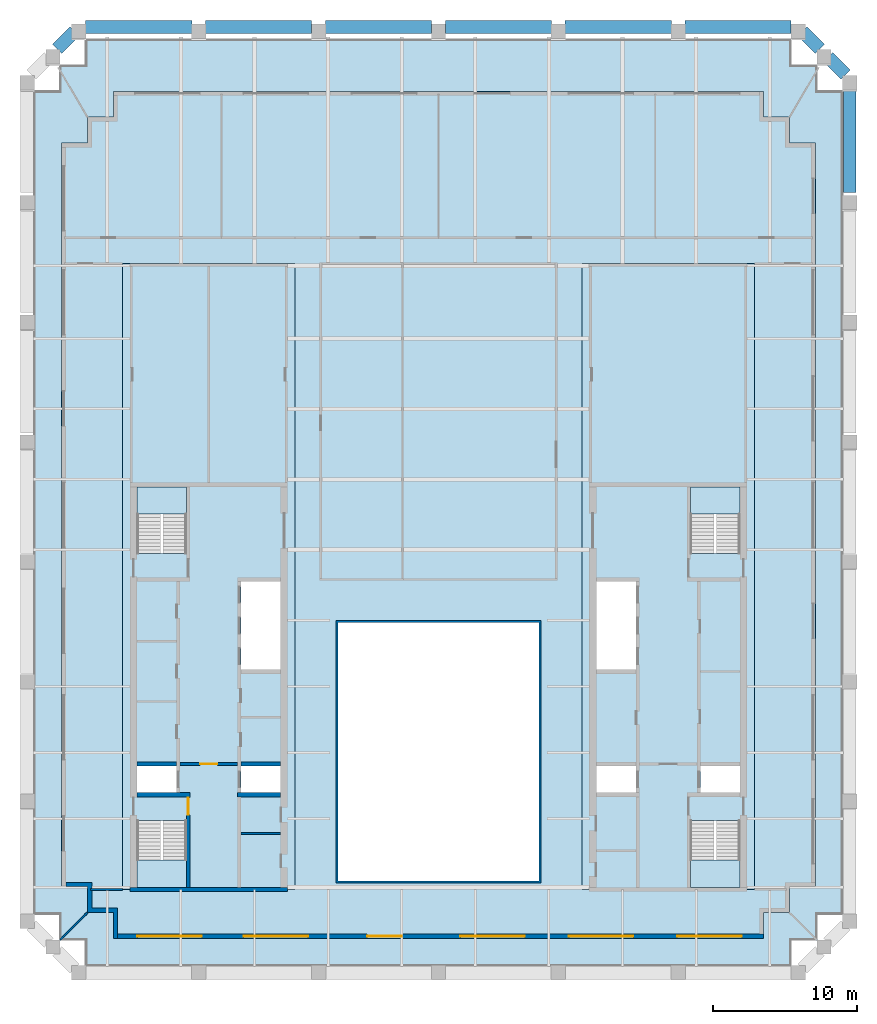
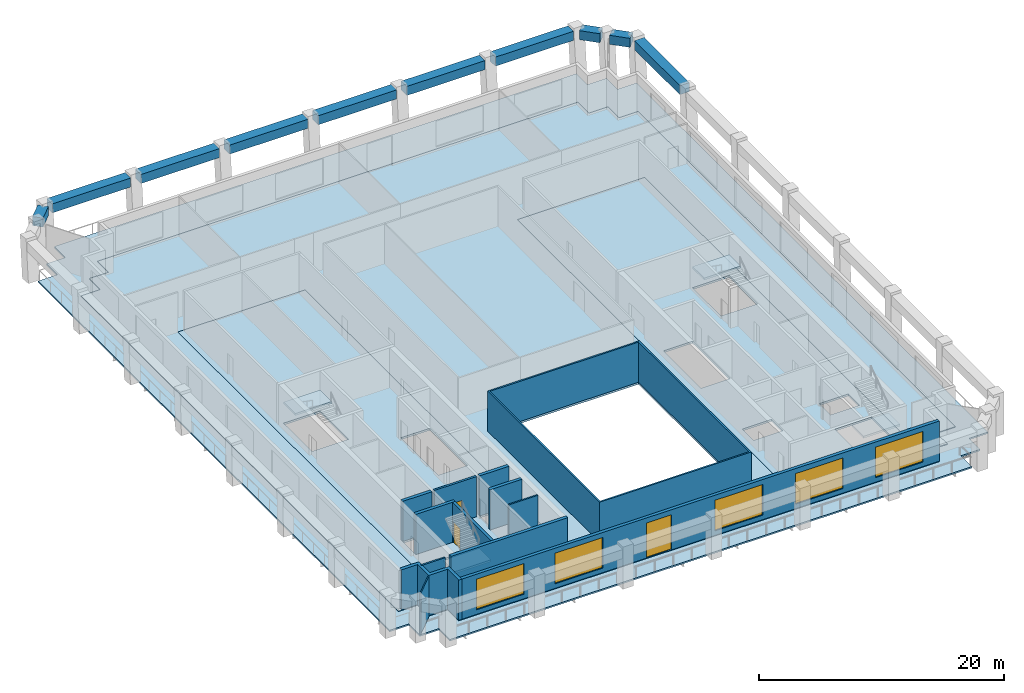
# One storey, part 2 of 7: 13 walls, 10 beams, 8 slabs, 5 windows, 3 doors, 8 openings, 4 elements without a shape of their own.
"""IFC4 building model written with IfcOpenShell, lengths in metres."""

from ifc_helpers import new_model, si_unit, direction, frame, frame_2d, origin, origin_2d, place, context, subcontext, project, spatial, polyline, rectangle, outline, extrude, material, layer, layer_set, material_profile, profile_set, type_object, element, fill, aggregate, save


model = new_model("IFC4")

# Units and contexts
model_context = context("Model", 3, precision=1e-05, world=origin(), true_north=direction((0.0, 1.0)))
body_context = subcontext(model_context, "Body", "Model", "MODEL_VIEW")
ifc_project = project(units=[si_unit("LENGTHUNIT", "METRE"), si_unit("AREAUNIT", "SQUARE_METRE"), si_unit("VOLUMEUNIT", "CUBIC_METRE"), si_unit("PLANEANGLEUNIT", "RADIAN"), si_unit("MASSUNIT", "GRAM", prefix="KILO")], contexts=[model_context])

# Site, building, storey
site_placement = place(None, origin())
site = spatial("IfcSite", under=ifc_project, at=site_placement, CompositionType="ELEMENT")
building_placement = place(site_placement, origin())
building = spatial("IfcBuilding", under=site, at=building_placement, Name="Ogive Exchange Tower", CompositionType="ELEMENT")
storey_placement = place(building_placement, frame((0.0, 0.0, 321.60009765625)))
storey = spatial("IfcBuildingStorey", under=building, at=storey_placement, Name="L70", CompositionType="ELEMENT", Elevation=321.60009765625)

# Beams
ifc_material_1 = material(Name="Precast concrete C70/85 (limestone faced)", Category="masonry")
ifc_material_profile = material_profile(ifc_material_1, rectangle(XDim=0.89990234375, YDim=0.89990234375, at=origin_2d()), Name="900 x 900")
ifc_profile_set = profile_set([ifc_material_profile], Name="Precast concrete C70/85 (limestone faced)")
beam_type = type_object("IfcBeamType", Name="Precast spandrel 900 x 900 C70/85", PredefinedType="SPANDREL", material=ifc_profile_set)
beam_1_placement = place(storey_placement, frame((28.64990234375, 45.970947265625, 3.5), z_axis=(0.0, 1.0, 0.0), x_axis=(-1.0, 0.0, 0.0)))
element("IfcBeam", 1, at=beam_1_placement, inside=storey, type_object=beam_type, Name="Spandrel 15", PredefinedType="SPANDREL", context=body_context, shape_type="SweptSolid", body=[
    extrude(rectangle(XDim=0.89990234375, YDim=0.89990234375, at=origin_2d()), origin(), (0.0, 0.0, 1.0), 7.421630859375),
])
beam_2_placement = place(storey_placement, frame((28.362060546875, 54.16064453125, 3.5), z_axis=(-0.707036271462, 0.707177283881, 0.0), x_axis=(-0.707177283881, -0.707036271462, 0.0)))
element("IfcBeam", 2, at=beam_2_placement, inside=storey, type_object=beam_type, Name="Spandrel 16", PredefinedType="SPANDREL", context=body_context, shape_type="SweptSolid", body=[
    extrude(rectangle(XDim=0.89990234375, YDim=0.89990234375, at=origin_2d()), origin(), (0.0, 0.0, 1.0), 1.7314453125),
])
beam_3_placement = place(storey_placement, frame((26.56201171875, 55.960693359375, 3.5), z_axis=(-0.707106781187, 0.707106781187, 0.0), x_axis=(-0.707106781187, -0.707106781187, 0.0)))
element("IfcBeam", 3, at=beam_3_placement, inside=storey, type_object=beam_type, Name="Spandrel 17", PredefinedType="SPANDREL", context=body_context, shape_type="SweptSolid", body=[
    extrude(rectangle(XDim=0.89990234375, YDim=0.89990234375, at=origin_2d()), origin(), (0.0, 0.0, 1.0), 1.731201171875),
])
beam_4_placement = place(storey_placement, frame((24.570068359375, 57.47265625, 3.5), z_axis=(-1.0, 0.0, 0.0), x_axis=(0.0, -1.0, 0.0)))
element("IfcBeam", 4, at=beam_4_placement, inside=storey, type_object=beam_type, Name="Spandrel 18", PredefinedType="SPANDREL", context=body_context, shape_type="SweptSolid", body=[
    extrude(rectangle(XDim=0.89990234375, YDim=0.89990234375, at=origin_2d()), origin(), (0.0, 0.0, 1.0), 7.39013671875),
])
beam_5_placement = place(storey_placement, frame((16.219970703125, 57.47265625, 3.5), z_axis=(-1.0, 0.0, 0.0), x_axis=(0.0, -1.0, 0.0)))
element("IfcBeam", 5, at=beam_5_placement, inside=storey, type_object=beam_type, Name="Spandrel 19", PredefinedType="SPANDREL", context=body_context, shape_type="SweptSolid", body=[
    extrude(rectangle(XDim=0.89990234375, YDim=0.89990234375, at=origin_2d()), origin(), (0.0, 0.0, 1.0), 7.389892578125),
])
for number, where, z_axis, x_axis, name in (
    (6, (7.8701171875, 57.47265625, 3.5), (-1.0, 0.0, 0.0), (0.0, -1.0, 0.0), "Spandrel 20"),
    (7, (-0.47998046875, 57.47265625, 3.5), (-1.0, 0.0, 0.0), (0.0, -1.0, 0.0), "Spandrel 21"),
):
    element("IfcBeam", number, at=place(storey_placement, frame(where, z_axis=z_axis, x_axis=x_axis)), inside=storey, type_object=beam_type, Name=name, PredefinedType="SPANDREL", context=body_context, shape_type="SweptSolid", body=[
        extrude(rectangle(XDim=0.89990234375, YDim=0.89990234375, at=origin_2d()), origin(), (0.0, 0.0, 1.0), 7.39013671875),
    ])
beam_6_placement = place(storey_placement, frame((-8.830078125, 57.47265625, 3.5), z_axis=(-1.0, 0.0, 0.0), x_axis=(0.0, -1.0, 0.0)))
element("IfcBeam", 8, at=beam_6_placement, inside=storey, type_object=beam_type, Name="Spandrel 22", PredefinedType="SPANDREL", context=body_context, shape_type="SweptSolid", body=[
    extrude(rectangle(XDim=0.89990234375, YDim=0.89990234375, at=origin_2d()), origin(), (0.0, 0.0, 1.0), 7.389892578125),
])
beam_7_placement = place(storey_placement, frame((-17.179931640625, 57.47265625, 3.5), z_axis=(-1.0, 0.0, 0.0), x_axis=(0.0, -1.0, 0.0)))
element("IfcBeam", 9, at=beam_7_placement, inside=storey, type_object=beam_type, Name="Spandrel 23", PredefinedType="SPANDREL", context=body_context, shape_type="SweptSolid", body=[
    extrude(rectangle(XDim=0.89990234375, YDim=0.89990234375, at=origin_2d()), origin(), (0.0, 0.0, 1.0), 7.39013671875),
])
beam_8_placement = place(storey_placement, frame((-25.337890625, 57.184814453125, 3.5), z_axis=(-0.707106781187, -0.707106781187, 0.0), x_axis=(0.707106781187, -0.707106781187, 0.0)))
element("IfcBeam", 10, at=beam_8_placement, inside=storey, type_object=beam_type, Name="Spandrel 24", PredefinedType="SPANDREL", context=body_context, shape_type="SweptSolid", body=[
    extrude(rectangle(XDim=0.89990234375, YDim=0.89990234375, at=origin_2d()), origin(), (0.0, 0.0, 1.0), 1.731201171875),
])

# Slabs
ifc_material_2 = material(Name="Concrete C50/60", Category="concrete")
ifc_layer_1 = layer(ifc_material_2, 0.199951171875)
ifc_layer_set_1 = layer_set([ifc_layer_1], Name="Composite floor slab 200")
slab_type_1 = type_object("IfcSlabType", Name="Composite floor slab 200", PredefinedType="FLOOR", material=ifc_layer_set_1)
slab_1_placement = place(storey_placement, frame((0.0, 0.0, -0.2001953125)))
element("IfcSlab", 11, at=slab_1_placement, inside=storey, type_object=slab_type_1, Name="Composite floor slab", PredefinedType="FLOOR", context=body_context, shape_type="SweptSolid", body=[
    extrude(outline(polyline([(-22.64990234375, -4.199951171875), (-24.449951171875, -4.199951171875), (-24.449951171875, -2.39990234375), (-26.25, -2.39990234375), (-26.25, 49.39990234375), (-24.449951171875, 49.39990234375), (-24.449951171875, 51.199951171875), (-22.64990234375, 51.199951171875), (-22.64990234375, 53.0), (22.64990234375, 53.0), (22.64990234375, 51.199951171875), (24.449951171875, 51.199951171875), (24.449951171875, 49.39990234375), (26.25, 49.39990234375), (26.25, -2.39990234375), (24.449951171875, -2.39990234375), (24.449951171875, -4.199951171875), (22.64990234375, -4.199951171875), (22.64990234375, -6.0), (-22.64990234375, -6.0), (-22.64990234375, -4.199951171875)]), holes=[polyline([(7.0, -2.0), (7.0, 16.0), (-7.0, 16.0), (-7.0, -2.0), (7.0, -2.0)]), polyline([(-22.0, -2.60009765625), (-10.0, -2.60009765625), (-10.0, 41.0), (-22.0, 41.0), (-22.0, -2.60009765625)]), polyline([(10.0, -2.60009765625), (22.0, -2.60009765625), (22.0, 41.0), (10.0, 41.0), (10.0, -2.60009765625)])]), origin(), (0.0, 0.0, 1.0), 0.2001953125),
])
ifc_material_3 = material(Name="Concrete C70/85", Category="concrete")
ifc_layer_2 = layer(ifc_material_3, 0.199951171875)
ifc_layer_set_2 = layer_set([ifc_layer_2], Name="Core floor slab 200")
slab_type_2 = type_object("IfcSlabType", Name="Core floor slab 200", PredefinedType="FLOOR", material=ifc_layer_set_2)
slab_2_placement = place(storey_placement, frame((0.0, 0.0, -0.2001953125)))
element("IfcSlab", 12, at=slab_2_placement, inside=storey, type_object=slab_type_2, Name="Core floor slab", PredefinedType="FLOOR", context=body_context, shape_type="SweptSolid", body=[
    extrude(outline(polyline([(-22.0, -2.60009765625), (-22.0, 41.0), (-10.0, 41.0), (-10.0, -2.60009765625), (-22.0, -2.60009765625)]), holes=[polyline([(-17.550048828125, 2.196044921875), (-21.0, 2.196044921875), (-21.0, -2.449951171875), (-17.550048828125, -2.449951171875), (-17.550048828125, 2.196044921875)]), polyline([(-21.0, 5.992919921875), (-21.0, 4.14990234375), (-18.25, 4.14990234375), (-18.25, 5.992919921875), (-21.0, 5.992919921875)]), polyline([(-13.75, 5.992919921875), (-13.75, 4.14990234375), (-11.0, 4.14990234375), (-11.0, 5.992919921875), (-13.75, 5.992919921875)]), polyline([(-11.0, 18.85009765625), (-13.75, 18.85009765625), (-13.75, 12.721435546875), (-11.0, 12.721435546875), (-11.0, 18.85009765625)]), polyline([(-21.0, 25.449951171875), (-21.0, 20.803955078125), (-17.550048828125, 20.803955078125), (-17.550048828125, 25.449951171875), (-21.0, 25.449951171875)])]), origin(), (0.0, 0.0, 1.0), 0.2001953125),
])
slab_3_placement = place(storey_placement, frame((0.0, 0.0, -0.2001953125)))
element("IfcSlab", 13, at=slab_3_placement, inside=storey, type_object=slab_type_2, Name="Core floor slab", PredefinedType="FLOOR", context=body_context, shape_type="SweptSolid", body=[
    extrude(outline(polyline([(10.0, -2.60009765625), (10.0, 41.0), (22.0, 41.0), (22.0, -2.60009765625), (10.0, -2.60009765625)]), holes=[polyline([(21.0, 2.196044921875), (17.550048828125, 2.196044921875), (17.550048828125, -2.449951171875), (21.0, -2.449951171875), (21.0, 2.196044921875)]), polyline([(11.0, 5.992919921875), (11.0, 4.14990234375), (13.75, 4.14990234375), (13.75, 5.992919921875), (11.0, 5.992919921875)]), polyline([(18.25, 5.992919921875), (18.25, 4.14990234375), (21.0, 4.14990234375), (21.0, 5.992919921875), (18.25, 5.992919921875)]), polyline([(13.75, 18.85009765625), (11.0, 18.85009765625), (11.0, 12.721435546875), (13.75, 12.721435546875), (13.75, 18.85009765625)]), polyline([(17.550048828125, 25.449951171875), (17.550048828125, 20.803955078125), (21.0, 20.803955078125), (21.0, 25.449951171875), (17.550048828125, 25.449951171875)])]), origin(), (0.0, 0.0, 1.0), 0.2001953125),
])
ifc_layer_3 = layer(ifc_material_2, 0.14990234375)
ifc_layer_set_3 = layer_set([ifc_layer_3], Name="Loggia deck 150")
slab_type_3 = type_object("IfcSlabType", Name="Loggia deck 150", PredefinedType="FLOOR", material=ifc_layer_set_3)
slab_4_placement = place(storey_placement, frame((0.0, 0.0, -0.2001953125)))
element("IfcSlab", 14, at=slab_4_placement, inside=storey, type_object=slab_type_3, Name="Loggia deck", PredefinedType="FLOOR", context=body_context, shape_type="SweptSolid", body=[
    extrude(outline(polyline([(-24.60009765625, -6.14990234375), (-26.39990234375, -6.14990234375), (-26.39990234375, -4.35009765625), (-28.199951171875, -4.35009765625), (-28.199951171875, 53.041015625), (-26.39990234375, 53.041015625), (-26.39990234375, 54.8408203125), (-24.60009765625, 54.8408203125), (-24.60009765625, 56.640869140625), (24.60009765625, 56.640869140625), (24.60009765625, 54.8408203125), (26.39990234375, 54.8408203125), (26.39990234375, 53.041015625), (28.199951171875, 53.041015625), (28.199951171875, -4.35009765625), (26.39990234375, -4.35009765625), (26.39990234375, -6.14990234375), (24.60009765625, -6.14990234375), (24.60009765625, -7.949951171875), (-24.60009765625, -7.949951171875), (-24.60009765625, -6.14990234375)]), holes=[polyline([(22.64990234375, -4.199951171875), (24.449951171875, -4.199951171875), (24.449951171875, -2.39990234375), (26.25, -2.39990234375), (26.25, 49.39990234375), (24.449951171875, 49.39990234375), (24.449951171875, 51.199951171875), (22.64990234375, 51.199951171875), (22.64990234375, 53.0), (-22.64990234375, 53.0), (-22.64990234375, 51.199951171875), (-24.449951171875, 51.199951171875), (-24.449951171875, 49.39990234375), (-26.25, 49.39990234375), (-26.25, -2.39990234375), (-24.449951171875, -2.39990234375), (-24.449951171875, -4.199951171875), (-22.64990234375, -4.199951171875), (-22.64990234375, -6.0), (22.64990234375, -6.0), (22.64990234375, -4.199951171875)])]), origin(), (0.0, 0.0, 1.0), 0.150146484375),
])

# Stair, slab
ifc_material_4 = material(Name="Concrete C40/50", Category="concrete")
stair_type = type_object("IfcStairType", Name="Exit stair 1650 wide", PredefinedType="HALF_TURN_STAIR", material=ifc_material_4)
stair_1_placement = place(storey_placement, origin())
stair_1 = element("IfcStair", 15, at=stair_1_placement, inside=storey, type_object=stair_type, Name="L70 exit stair ST1", PredefinedType="HALF_TURN_STAIR")
ifc_layer_4 = layer(ifc_material_4, 0.199951171875)
ifc_layer_set_4 = layer_set([ifc_layer_4], Name="Stair landing 200 slab")
slab_type_4 = type_object("IfcSlabType", Name="Stair landing 200 slab", PredefinedType="LANDING", material=ifc_layer_set_4)
slab_5_placement = place(storey_placement, frame((0.0, 0.0, 1.89990234375)))
slab_5 = element("IfcSlab", 16, at=slab_5_placement, type_object=slab_type_4, Name="ST1 landing 1", PredefinedType="LANDING", context=body_context, shape_type="SweptSolid", body=[
    extrude(outline(polyline([(-21.0, -0.550048828125), (-21.0, -2.449951171875), (-17.550048828125, -2.449951171875), (-17.550048828125, -0.550048828125), (-21.0, -0.550048828125)])), origin(), (0.0, 0.0, 1.0), 0.199951171875),
])
aggregate(stair_1, [slab_5])

stair_2_placement = place(storey_placement, origin())
stair_2 = element("IfcStair", 17, at=stair_2_placement, inside=storey, type_object=stair_type, Name="L70 exit stair ST2", PredefinedType="HALF_TURN_STAIR")
slab_6_placement = place(storey_placement, frame((0.0, 0.0, 1.89990234375)))
slab_6 = element("IfcSlab", 18, at=slab_6_placement, type_object=slab_type_4, Name="ST2 landing 1", PredefinedType="LANDING", context=body_context, shape_type="SweptSolid", body=[
    extrude(outline(polyline([(-17.550048828125, 23.550048828125), (-17.550048828125, 25.449951171875), (-21.0, 25.449951171875), (-21.0, 23.550048828125), (-17.550048828125, 23.550048828125)])), origin(), (0.0, 0.0, 1.0), 0.199951171875),
])
aggregate(stair_2, [slab_6])

stair_3_placement = place(storey_placement, origin())
stair_3 = element("IfcStair", 19, at=stair_3_placement, inside=storey, type_object=stair_type, Name="L70 exit stair ST3", PredefinedType="HALF_TURN_STAIR")
slab_7_placement = place(storey_placement, frame((0.0, 0.0, 1.89990234375)))
slab_7 = element("IfcSlab", 20, at=slab_7_placement, type_object=slab_type_4, Name="ST3 landing 1", PredefinedType="LANDING", context=body_context, shape_type="SweptSolid", body=[
    extrude(outline(polyline([(17.550048828125, -0.550048828125), (17.550048828125, -2.449951171875), (21.0, -2.449951171875), (21.0, -0.550048828125), (17.550048828125, -0.550048828125)])), origin(), (0.0, 0.0, 1.0), 0.199951171875),
])
aggregate(stair_3, [slab_7])

stair_4_placement = place(storey_placement, origin())
stair_4 = element("IfcStair", 21, at=stair_4_placement, inside=storey, type_object=stair_type, Name="L70 exit stair ST4", PredefinedType="HALF_TURN_STAIR")
slab_8_placement = place(storey_placement, frame((0.0, 0.0, 1.89990234375)))
slab_8 = element("IfcSlab", 22, at=slab_8_placement, type_object=slab_type_4, Name="ST4 landing 1", PredefinedType="LANDING", context=body_context, shape_type="SweptSolid", body=[
    extrude(outline(polyline([(21.0, 23.550048828125), (21.0, 25.449951171875), (17.550048828125, 25.449951171875), (17.550048828125, 23.550048828125), (21.0, 23.550048828125)])), origin(), (0.0, 0.0, 1.0), 0.199951171875),
])
aggregate(stair_4, [slab_8])

# Walls
ifc_material_5 = material(Name="Gypsum board partition")
ifc_layer_5 = layer(ifc_material_5, 0.14990234375)
ifc_layer_set_5 = layer_set([ifc_layer_5], Name="Core room partition 150 gypsum")
wall_type_1 = type_object("IfcWallType", Name="Core room partition 150 gypsum", PredefinedType="PARTITIONING", material=ifc_layer_set_5)
wall_1_placement = place(storey_placement, frame((-13.75, 1.300048828125, 0.0), z_axis=(0.0, 0.0, 1.0), x_axis=(1.0, 0.0, 0.0)))
element("IfcWall", 23, at=wall_1_placement, inside=storey, type_object=wall_type_1, Name="W south room partition", PredefinedType="PARTITIONING", context=body_context, shape_type="SweptSolid", body=[
    extrude(rectangle(XDim=2.75, YDim=0.14990234375, at=frame_2d((1.375, 0.0))), origin(), (0.0, 0.0, 1.0), 4.0),
])
ifc_material_6 = material(Name="Fire partition EI 60 150")
ifc_layer_6 = layer(ifc_material_6, 0.14990234375)
ifc_layer_set_6 = layer_set([ifc_layer_6], Name="Fire partition EI 60 150")
wall_type_2 = type_object("IfcWallType", Name="Fire partition EI 60 150", PredefinedType="PARTITIONING", material=ifc_layer_set_6)
wall_2_placement = place(storey_placement, frame((-24.25, -2.60009765625, 0.0), z_axis=(0.0, 0.0, 1.0), x_axis=(1.0, 0.0, 0.0)))
element("IfcWall", 24, at=wall_2_placement, inside=storey, type_object=wall_type_2, Name="L70-PWL-002", PredefinedType="PARTITIONING", context=body_context, shape_type="SweptSolid", body=[
    extrude(rectangle(XDim=2.25, YDim=0.14990234375, at=frame_2d((1.125, 0.0))), origin(), (0.0, 0.0, 1.0), 4.0),
])
ifc_material_7 = material(Name="Fire-resisting glass in steel frame", Category="steel")
ifc_layer_7 = layer(ifc_material_7, 0.14990234375)
ifc_layer_set_7 = layer_set([ifc_layer_7], Name="Fire-rated glazed wall 150")
wall_type_3 = type_object("IfcWallType", Name="Fire-rated glazed wall 150", PredefinedType="STANDARD", material=ifc_layer_set_7)
wall_3_placement = place(storey_placement, origin())
element("IfcWall", 25, at=wall_3_placement, inside=storey, type_object=wall_type_3, Name="Nave enclosure wall", PredefinedType="STANDARD", context=body_context, shape_type="SweptSolid", body=[
    extrude(outline(polyline([(-7.14990234375, -2.14990234375), (7.14990234375, -2.14990234375), (7.14990234375, 16.14990234375), (-7.14990234375, 16.14990234375), (-7.14990234375, -2.14990234375)]), holes=[polyline([(-7.0, -2.0), (-7.0, 16.0), (7.0, 16.0), (7.0, -2.0), (-7.0, -2.0)])]), origin(), (0.0, 0.0, 1.0), 4.0),
])

# Wall, openings, door, windows
ifc_material_8 = material(Name="Precast concrete C40/50", Category="concrete")
ifc_layer_8 = layer(ifc_material_8, 0.300048828125)
ifc_layer_set_8 = layer_set([ifc_layer_8], Name="Limestone-faced wall 300")
wall_type_4 = type_object("IfcWallType", Name="Limestone-faced wall 300", PredefinedType="STANDARD", material=ifc_layer_set_8)
wall_4_placement = place(storey_placement, frame((-22.35009765625, -5.85009765625, 0.0), z_axis=(0.0, 0.0, 1.0), x_axis=(1.0, 0.0, 0.0)))
wall_4 = element("IfcWall", 26, at=wall_4_placement, inside=storey, type_object=wall_type_4, Name="External wall S1", PredefinedType="STANDARD", context=body_context, shape_type="SweptSolid", body=[
    extrude(rectangle(XDim=45.0, YDim=0.300048828125, at=frame_2d((22.5, 0.0))), origin(), (0.0, 0.0, 1.0), 4.0),
])
opening_1_placement = place(wall_4_placement, frame((1.375, 0.0, 0.449951171875)))
opening_1 = element("IfcOpeningElement", 27, at=opening_1_placement, cuts=wall_4, Name="Opening W1", PredefinedType="OPENING", context=body_context, shape_type="SweptSolid", body=[
    extrude(rectangle(XDim=4.5, YDim=3.050048828125, at=frame_2d((2.25, 1.52490234375))), frame((0.0, 0.159912109375, 0.0), z_axis=(0.0, -1.0, 0.0), x_axis=(1.0, 0.0, 0.0)), (0.0, 0.0, 1.0), 0.320068359375),
])
opening_2_placement = place(wall_4_placement, frame((8.77490234375, 0.0, 0.449951171875)))
opening_2 = element("IfcOpeningElement", 28, at=opening_2_placement, cuts=wall_4, Name="Opening W1", PredefinedType="OPENING", context=body_context, shape_type="SweptSolid", body=[
    extrude(rectangle(XDim=4.5, YDim=3.050048828125, at=frame_2d((2.25, 1.52490234375))), frame((0.0, 0.159912109375, 0.0), z_axis=(0.0, -1.0, 0.0), x_axis=(1.0, 0.0, 0.0)), (0.0, 0.0, 1.0), 0.320068359375),
])
opening_3_placement = place(wall_4_placement, frame((17.375, 0.0, 0.0)))
opening_3 = element("IfcOpeningElement", 29, at=opening_3_placement, cuts=wall_4, Name="Opening D1", PredefinedType="OPENING", context=body_context, shape_type="SweptSolid", body=[
    extrude(rectangle(XDim=2.39990234375, YDim=3.5, at=frame_2d((1.199951171875, 1.75))), frame((0.0, 0.159912109375, 0.0), z_axis=(0.0, -1.0, 0.0), x_axis=(1.0, 0.0, 0.0)), (0.0, 0.0, 1.0), 0.320068359375),
])
opening_4_placement = place(wall_4_placement, frame((23.875, 0.0, 0.449951171875)))
opening_4 = element("IfcOpeningElement", 30, at=opening_4_placement, cuts=wall_4, Name="Opening W1", PredefinedType="OPENING", context=body_context, shape_type="SweptSolid", body=[
    extrude(rectangle(XDim=4.5, YDim=3.050048828125, at=frame_2d((2.25, 1.52490234375))), frame((0.0, 0.159912109375, 0.0), z_axis=(0.0, -1.0, 0.0), x_axis=(1.0, 0.0, 0.0)), (0.0, 0.0, 1.0), 0.320068359375),
])
opening_5_placement = place(wall_4_placement, frame((31.425048828125, 0.0, 0.449951171875)))
opening_5 = element("IfcOpeningElement", 31, at=opening_5_placement, cuts=wall_4, Name="Opening W1", PredefinedType="OPENING", context=body_context, shape_type="SweptSolid", body=[
    extrude(rectangle(XDim=4.5, YDim=3.050048828125, at=frame_2d((2.25, 1.52490234375))), frame((0.0, 0.159912109375, 0.0), z_axis=(0.0, -1.0, 0.0), x_axis=(1.0, 0.0, 0.0)), (0.0, 0.0, 1.0), 0.320068359375),
])
opening_6_placement = place(wall_4_placement, frame((38.97509765625, 0.0, 0.449951171875)))
opening_6 = element("IfcOpeningElement", 32, at=opening_6_placement, cuts=wall_4, Name="Opening W1", PredefinedType="OPENING", context=body_context, shape_type="SweptSolid", body=[
    extrude(rectangle(XDim=4.5, YDim=3.050048828125, at=frame_2d((2.25, 1.52490234375))), frame((0.0, 0.159912109375, 0.0), z_axis=(0.0, -1.0, 0.0), x_axis=(1.0, 0.0, 0.0)), (0.0, 0.0, 1.0), 0.320068359375),
])
ifc_material_9 = material(Name="Clear glass in bronze frame", Category="glass")
door_type_1 = type_object("IfcDoorType", Name="Sliding loggia door 2400 x 3500", OperationType="DOUBLE_DOOR_SLIDING", PredefinedType="DOOR", material=ifc_material_9)
door_1_placement = place(opening_3_placement, origin())
door_1 = element("IfcDoor", 33, at=door_1_placement, inside=storey, type_object=door_type_1, Name="Loggia door S02", OperationType="DOUBLE_DOOR_SLIDING", OverallHeight=3.5, OverallWidth=2.39990234375, PredefinedType="DOOR", context=body_context, shape_type="SweptSolid", body=[
    extrude(rectangle(XDim=2.39990234375, YDim=3.5, at=frame_2d((1.199951171875, 1.75))), frame((0.0, 0.02490234375, 0.0), z_axis=(0.0, -1.0, 0.0), x_axis=(1.0, 0.0, 0.0)), (0.0, 0.0, 1.0), 0.050048828125),
])
fill(opening_3, door_1)
window_type = type_object("IfcWindowType", Name="Twin lancet window 4500 x 3050", PartitioningType="DOUBLE_PANEL_VERTICAL", PredefinedType="WINDOW", material=ifc_material_9)
window_1_placement = place(opening_1_placement, origin())
window_1 = element("IfcWindow", 34, at=window_1_placement, inside=storey, type_object=window_type, Name="Window S00", OverallHeight=3.050048828125, OverallWidth=4.5, PartitioningType="DOUBLE_PANEL_VERTICAL", PredefinedType="WINDOW", context=body_context, shape_type="SweptSolid", body=[
    extrude(rectangle(XDim=4.5, YDim=3.050048828125, at=frame_2d((2.25, 1.52490234375))), frame((0.0, 0.030029296875, 0.0), z_axis=(0.0, -1.0, 0.0), x_axis=(1.0, 0.0, 0.0)), (0.0, 0.0, 1.0), 0.06005859375),
])
fill(opening_1, window_1)
window_2_placement = place(opening_2_placement, origin())
window_2 = element("IfcWindow", 35, at=window_2_placement, inside=storey, type_object=window_type, Name="Window S01", OverallHeight=3.050048828125, OverallWidth=4.5, PartitioningType="DOUBLE_PANEL_VERTICAL", PredefinedType="WINDOW", context=body_context, shape_type="SweptSolid", body=[
    extrude(rectangle(XDim=4.5, YDim=3.050048828125, at=frame_2d((2.25, 1.52490234375))), frame((0.0, 0.030029296875, 0.0), z_axis=(0.0, -1.0, 0.0), x_axis=(1.0, 0.0, 0.0)), (0.0, 0.0, 1.0), 0.06005859375),
])
fill(opening_2, window_2)
window_3_placement = place(opening_4_placement, origin())
window_3 = element("IfcWindow", 36, at=window_3_placement, inside=storey, type_object=window_type, Name="Window S03", OverallHeight=3.050048828125, OverallWidth=4.5, PartitioningType="DOUBLE_PANEL_VERTICAL", PredefinedType="WINDOW", context=body_context, shape_type="SweptSolid", body=[
    extrude(rectangle(XDim=4.5, YDim=3.050048828125, at=frame_2d((2.25, 1.52490234375))), frame((0.0, 0.030029296875, 0.0), z_axis=(0.0, -1.0, 0.0), x_axis=(1.0, 0.0, 0.0)), (0.0, 0.0, 1.0), 0.06005859375),
])
fill(opening_4, window_3)
window_4_placement = place(opening_5_placement, origin())
window_4 = element("IfcWindow", 37, at=window_4_placement, inside=storey, type_object=window_type, Name="Window S04", OverallHeight=3.050048828125, OverallWidth=4.5, PartitioningType="DOUBLE_PANEL_VERTICAL", PredefinedType="WINDOW", context=body_context, shape_type="SweptSolid", body=[
    extrude(rectangle(XDim=4.5, YDim=3.050048828125, at=frame_2d((2.25, 1.52490234375))), frame((0.0, 0.030029296875, 0.0), z_axis=(0.0, -1.0, 0.0), x_axis=(1.0, 0.0, 0.0)), (0.0, 0.0, 1.0), 0.06005859375),
])
fill(opening_5, window_4)
window_5_placement = place(opening_6_placement, origin())
window_5 = element("IfcWindow", 38, at=window_5_placement, inside=storey, type_object=window_type, Name="Window S05", OverallHeight=3.050048828125, OverallWidth=4.5, PartitioningType="DOUBLE_PANEL_VERTICAL", PredefinedType="WINDOW", context=body_context, shape_type="SweptSolid", body=[
    extrude(rectangle(XDim=4.5, YDim=3.050048828125, at=frame_2d((2.25, 1.52490234375))), frame((0.0, 0.030029296875, 0.0), z_axis=(0.0, -1.0, 0.0), x_axis=(1.0, 0.0, 0.0)), (0.0, 0.0, 1.0), 0.06005859375),
])
fill(opening_6, window_5)

# Walls
wall_5_placement = place(storey_placement, origin())
element("IfcWall", 39, at=wall_5_placement, inside=storey, type_object=wall_type_4, Name="External corner wall C4", PredefinedType="STANDARD", context=body_context, shape_type="SweptSolid", body=[
    extrude(outline(polyline([(-22.64990234375, -4.199951171875), (-24.449951171875, -4.199951171875), (-24.449951171875, -2.39990234375), (-25.949951171875, -2.39990234375), (-25.949951171875, -2.10009765625), (-24.14990234375, -2.10009765625), (-24.14990234375, -3.89990234375), (-22.35009765625, -3.89990234375), (-22.35009765625, -6.0), (-22.64990234375, -6.0), (-22.64990234375, -4.199951171875)])), origin(), (0.0, 0.0, 1.0), 4.0),
])
ifc_material_10 = material(Name="Laminated safety glass in steel frame", Category="steel")
ifc_layer_9 = layer(ifc_material_10, 0.10009765625)
ifc_layer_set_9 = layer_set([ifc_layer_9], Name="Loggia end screen 100")
wall_type_5 = type_object("IfcWallType", Name="Loggia end screen 100", PredefinedType="STANDARD", material=ifc_layer_set_9)
wall_6_placement = place(storey_placement, frame((-24.449951171875, -4.199951171875, -0.050048828125), z_axis=(0.0, 0.0, 1.0), x_axis=(-0.707106781187, -0.707106781187, 0.0)))
element("IfcWall", 40, at=wall_6_placement, inside=storey, type_object=wall_type_5, Name="Loggia end screen C4", PredefinedType="STANDARD", context=body_context, shape_type="SweptSolid", body=[
    extrude(rectangle(XDim=2.667236328125, YDim=0.10009765625, at=frame_2d((1.33349609375, 0.0))), origin(), (0.0, 0.0, 1.0), 4.050048828125),
])

# Wall, opening, door
ifc_layer_10 = layer(ifc_material_3, 0.199951171875)
ifc_layer_set_10 = layer_set([ifc_layer_10], Name="RC core wall 200 C70/85")
wall_type_6 = type_object("IfcWallType", Name="RC core wall 200 C70/85", PredefinedType="SHEAR", material=ifc_layer_set_10)
wall_7_placement = place(storey_placement, frame((-18.0, 6.142822265625, 0.0), z_axis=(0.0, 0.0, 1.0), x_axis=(1.0, 0.0, 0.0)))
wall_7 = element("IfcWall", 41, at=wall_7_placement, inside=storey, type_object=wall_type_6, Name="W firefighting lobby wall", PredefinedType="SHEAR", context=body_context, shape_type="SweptSolid", body=[
    extrude(rectangle(XDim=4.0, YDim=0.199951171875, at=frame_2d((2.0, 0.0))), origin(), (0.0, 0.0, 1.0), 4.0),
])
opening_7_placement = place(wall_7_placement, frame((1.39990234375, 0.0, 0.0)))
opening_7 = element("IfcOpeningElement", 42, at=opening_7_placement, cuts=wall_7, Name="Opening L70-C11", PredefinedType="OPENING", context=body_context, shape_type="SweptSolid", body=[
    extrude(rectangle(XDim=1.199951171875, YDim=2.10009765625, at=frame_2d((0.60009765625, 1.050048828125))), frame((0.0, 0.10986328125, 0.0), z_axis=(0.0, -1.0, 0.0), x_axis=(1.0, 0.0, 0.0)), (0.0, 0.0, 1.0), 0.219970703125),
])
ifc_material_11 = material(Name="Steel fire door", Category="steel")
door_type_2 = type_object("IfcDoorType", Name="Firefighting lobby door FD60 1200 x 2100", OperationType="NOTDEFINED", PredefinedType="DOOR", material=ifc_material_11)
door_2_placement = place(opening_7_placement, frame((1.199951171875, 0.0, 0.0), z_axis=(0.0, 0.0, 1.0), x_axis=(-1.0, 0.0, 0.0)))
door_2 = element("IfcDoor", 43, at=door_2_placement, inside=storey, type_object=door_type_2, Name="Firefighting lobby door", ObjectType="CD3", OperationType="SINGLE_SWING_LEFT", OverallHeight=2.10009765625, OverallWidth=1.199951171875, PredefinedType="DOOR", context=body_context, shape_type="SweptSolid", body=[
    extrude(rectangle(XDim=1.199951171875, YDim=2.10009765625, at=frame_2d((0.60009765625, 1.050048828125))), frame((0.0, 0.02490234375, 0.0), z_axis=(0.0, -1.0, 0.0), x_axis=(1.0, 0.0, 0.0)), (0.0, 0.0, 1.0), 0.050048828125),
])
fill(opening_7, door_2)

ifc_layer_11 = layer(ifc_material_3, 0.25)
ifc_layer_set_11 = layer_set([ifc_layer_11], Name="RC core wall 250 C70/85")
wall_type_7 = type_object("IfcWallType", Name="RC core wall 250 C70/85", PredefinedType="SHEAR", material=ifc_layer_set_11)
wall_8_placement = place(storey_placement, frame((-17.425048828125, -2.449951171875, 0.0), z_axis=(0.0, 0.0, 1.0), x_axis=(0.0, 1.0, 0.0)))
wall_8 = element("IfcWall", 44, at=wall_8_placement, inside=storey, type_object=wall_type_7, Name="W stair S front wall", PredefinedType="SHEAR", context=body_context, shape_type="SweptSolid", body=[
    extrude(rectangle(XDim=6.300048828125, YDim=0.25, at=frame_2d((3.14990234375, 0.0))), origin(), (0.0, 0.0, 1.0), 4.0),
])
opening_8_placement = place(wall_8_placement, frame((5.050048828125, 0.0, 0.0)))
opening_8 = element("IfcOpeningElement", 45, at=opening_8_placement, cuts=wall_8, Name="Opening L70-C13", PredefinedType="OPENING", context=body_context, shape_type="SweptSolid", body=[
    extrude(rectangle(XDim=1.199951171875, YDim=2.10009765625, at=frame_2d((0.60009765625, 1.050048828125))), frame((0.0, 0.135009765625, 0.0), z_axis=(0.0, -1.0, 0.0), x_axis=(1.0, 0.0, 0.0)), (0.0, 0.0, 1.0), 0.27001953125),
])
door_type_3 = type_object("IfcDoorType", Name="Stair door FD90 1200 x 2100", OperationType="NOTDEFINED", PredefinedType="DOOR", material=ifc_material_11)
door_3_placement = place(opening_8_placement, origin())
door_3 = element("IfcDoor", 46, at=door_3_placement, inside=storey, type_object=door_type_3, Name="Stair door", ObjectType="CD5", OperationType="SINGLE_SWING_LEFT", OverallHeight=2.10009765625, OverallWidth=1.199951171875, PredefinedType="DOOR", context=body_context, shape_type="SweptSolid", body=[
    extrude(rectangle(XDim=1.199951171875, YDim=2.10009765625, at=frame_2d((0.60009765625, 1.050048828125))), frame((0.0, 0.02490234375, 0.0), z_axis=(0.0, -1.0, 0.0), x_axis=(1.0, 0.0, 0.0)), (0.0, 0.0, 1.0), 0.050048828125),
])
fill(opening_8, door_3)

# Walls
ifc_layer_12 = layer(ifc_material_3, 0.300048828125)
ifc_layer_set_12 = layer_set([ifc_layer_12], Name="RC core wall 300 C70/85")
wall_type_8 = type_object("IfcWallType", Name="RC core wall 300 C70/85", PredefinedType="SHEAR", material=ifc_layer_set_12)
wall_9_placement = place(storey_placement, frame((-21.5, -2.60009765625, 0.0), z_axis=(0.0, 0.0, 1.0), x_axis=(1.0, 0.0, 0.0)))
element("IfcWall", 47, at=wall_9_placement, inside=storey, type_object=wall_type_8, Name="W south end wall", PredefinedType="SHEAR", context=body_context, shape_type="SweptSolid", body=[
    extrude(rectangle(XDim=11.0, YDim=0.300048828125, at=frame_2d((5.5, 0.0))), origin(), (0.0, 0.0, 1.0), 4.0),
])
wall_10_placement = place(storey_placement, frame((-21.0, 4.0, 0.0), z_axis=(0.0, 0.0, 1.0), x_axis=(1.0, 0.0, 0.0)))
element("IfcWall", 48, at=wall_10_placement, inside=storey, type_object=wall_type_8, Name="W stair S north wall", PredefinedType="SHEAR", context=body_context, shape_type="SweptSolid", body=[
    extrude(rectangle(XDim=3.699951171875, YDim=0.300048828125, at=frame_2d((1.85009765625, 0.0))), origin(), (0.0, 0.0, 1.0), 4.0),
])
wall_11_placement = place(storey_placement, frame((-21.0, 6.142822265625, 0.0), z_axis=(0.0, 0.0, 1.0), x_axis=(1.0, 0.0, 0.0)))
element("IfcWall", 49, at=wall_11_placement, inside=storey, type_object=wall_type_8, Name="W row A divider 1", PredefinedType="SHEAR", context=body_context, shape_type="SweptSolid", body=[
    extrude(rectangle(XDim=2.75, YDim=0.300048828125, at=frame_2d((1.375, 0.0))), origin(), (0.0, 0.0, 1.0), 4.0),
])
wall_12_placement = place(storey_placement, frame((-14.0, 4.0, 0.0), z_axis=(0.0, 0.0, 1.0), x_axis=(1.0, 0.0, 0.0)))
element("IfcWall", 50, at=wall_12_placement, inside=storey, type_object=wall_type_8, Name="W row B divider 0", PredefinedType="SHEAR", context=body_context, shape_type="SweptSolid", body=[
    extrude(rectangle(XDim=3.0, YDim=0.300048828125, at=frame_2d((1.5, 0.0))), origin(), (0.0, 0.0, 1.0), 4.0),
])
wall_13_placement = place(storey_placement, frame((-13.75, 6.142822265625, 0.0), z_axis=(0.0, 0.0, 1.0), x_axis=(1.0, 0.0, 0.0)))
element("IfcWall", 51, at=wall_13_placement, inside=storey, type_object=wall_type_8, Name="W row B divider 1", PredefinedType="SHEAR", context=body_context, shape_type="SweptSolid", body=[
    extrude(rectangle(XDim=2.75, YDim=0.300048828125, at=frame_2d((1.375, 0.0))), origin(), (0.0, 0.0, 1.0), 4.0),
])

save(model, "model.ifc")
